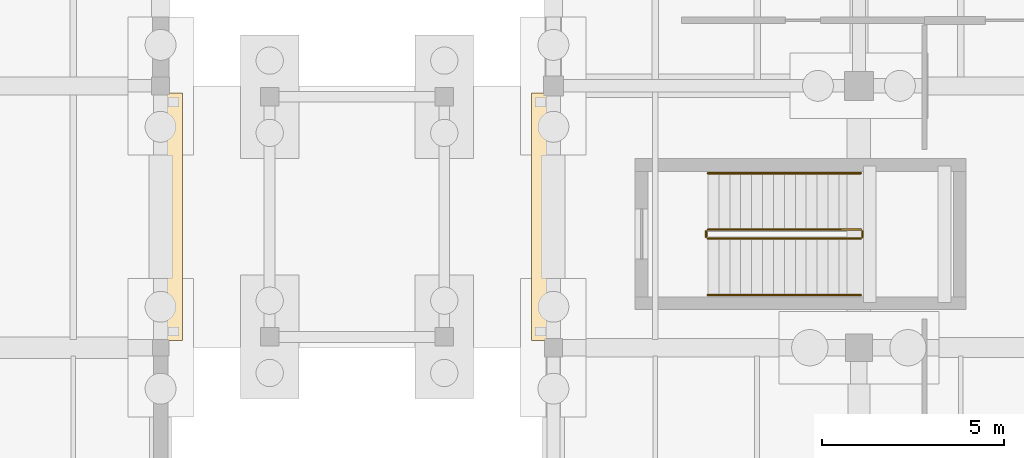
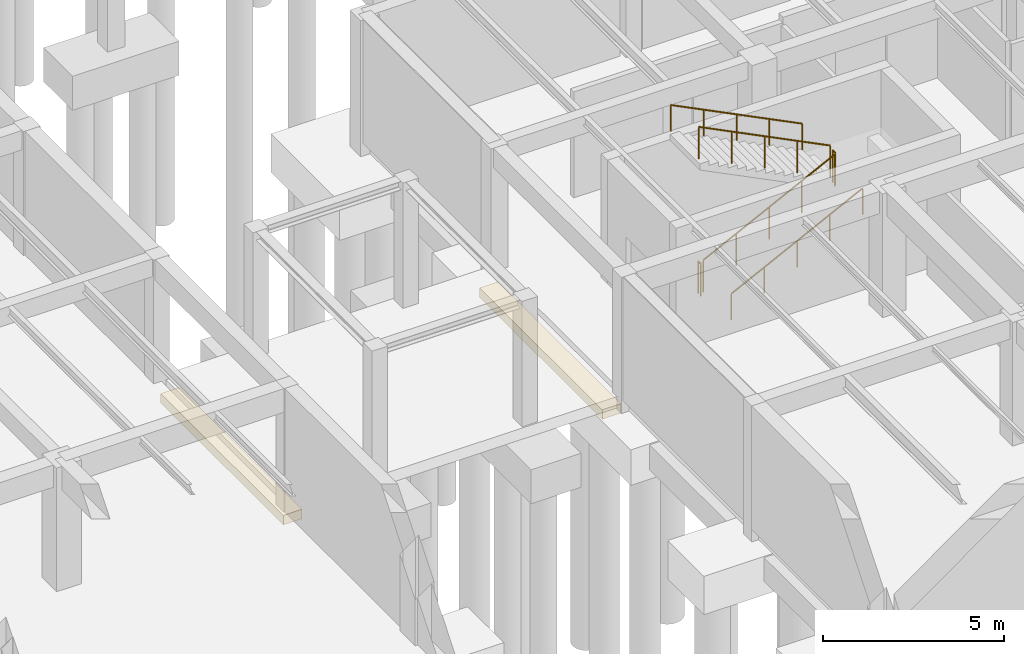
# One storey, part 56 of 63: 6 railings, 2 coverings.
"""IFC4 building model written with IfcOpenShell, lengths in metres."""

from ifc_helpers import new_model, si_unit, direction, frame, origin, origin_2d, place, context, subcontext, project, spatial, polyline, circle, outline, extrude, material, layer, layer_set, type_object, element, save


model = new_model("IFC4")

# Units and contexts
model_context = context("Model", 3, precision=1e-05, world=origin(), true_north=direction((0.0, 1.0)))
body_context = subcontext(model_context, "Body", "Model", "MODEL_VIEW")
ifc_project = project(units=[si_unit("LENGTHUNIT", "METRE"), si_unit("AREAUNIT", "SQUARE_METRE"), si_unit("VOLUMEUNIT", "CUBIC_METRE"), si_unit("PLANEANGLEUNIT", "RADIAN"), si_unit("MASSUNIT", "GRAM", prefix="KILO")], contexts=[model_context])

# Site, building, storey
site_placement = place(None, origin())
site = spatial("IfcSite", under=ifc_project, at=site_placement, CompositionType="ELEMENT")
building_placement = place(site_placement, origin())
building = spatial("IfcBuilding", under=site, at=building_placement, Name="Mazaris Harbour Polytechnic", CompositionType="ELEMENT")
storey_placement = place(building_placement, frame((0.0, 0.0, -4.5)))
storey = spatial("IfcBuildingStorey", under=building, at=storey_placement, Name="B1", CompositionType="ELEMENT", Elevation=-4.5)

# Coverings
ifc_material_1 = material(Name="Concrete C40/50", Category="concrete")
ifc_layer = layer(ifc_material_1, 0.320068359375, Name="Concrete C40/50")
ifc_layer_set = layer_set([ifc_layer], Name="Concrete C40/50")
covering_type = type_object("IfcCoveringType", Name="Bridge Bearing Corbel 600", PredefinedType="CLADDING", material=ifc_layer_set)
covering_1_placement = place(storey_placement, frame((0.0, 0.0, -0.764892578125)))
element("IfcCovering", 1, at=covering_1_placement, inside=storey, type_object=covering_type, Name="PB-W1 B1 600mm Bridge Bearing Seat Corbel W", PredefinedType="CLADDING", context=body_context, shape_type="SweptSolid", body=[
    extrude(outline(polyline([(43.199951171875, 21.800048828125), (43.800048828125, 21.800048828125), (43.800048828125, 28.60009765625), (43.199951171875, 28.60009765625), (43.199951171875, 21.800048828125)])), origin(), (0.0, 0.0, 1.0), 0.31982421875),
])
covering_2_placement = place(storey_placement, frame((0.0, 0.0, -0.764892578125)))
element("IfcCovering", 2, at=covering_2_placement, inside=storey, type_object=covering_type, Name="PB-W1 B1 600mm Bridge Bearing Seat Corbel E", PredefinedType="CLADDING", context=body_context, shape_type="SweptSolid", body=[
    extrude(outline(polyline([(53.39990234375, 21.800048828125), (54.0, 21.800048828125), (54.0, 28.60009765625), (53.39990234375, 28.60009765625), (53.39990234375, 21.800048828125)])), origin(), (0.0, 0.0, 1.0), 0.31982421875),
])

# Railings
ifc_material_2 = material(Name="Stainless Steel S355", Category="steel")
railing_type_1 = type_object("IfcRailingType", Name="Stair Wall Handrail 900", PredefinedType="HANDRAIL", material=ifc_material_2)
railing_1_placement = place(storey_placement, frame((58.25, 23.050048828125, 0.14990234375)))
element("IfcRailing", 3, at=railing_1_placement, inside=storey, type_object=railing_type_1, Name="B1 ST05 stair handrail 1", PredefinedType="HANDRAIL", context=body_context, shape_type="SweptSolid", body=[
    extrude(circle(Radius=0.02392578125, at=origin_2d()), frame((0.0, 0.0, 0.8759765625), z_axis=(0.894416792377, 0.0, 0.447234392142), x_axis=(0.0, 1.0, 0.0)), (0.0, 0.0, 1.0), 4.69580078125),
    extrude(circle(Radius=0.02099609375, at=origin_2d()), origin(), (0.0, 0.0, 1.0), 0.851806640625),
    extrude(circle(Radius=0.02099609375, at=origin_2d()), frame((1.050048828125, 0.0, 0.52490234375)), (0.0, 0.0, 1.0), 0.851806640625),
    extrude(circle(Radius=0.02099609375, at=origin_2d()), frame((2.10009765625, 0.0, 1.050048828125)), (0.0, 0.0, 1.0), 0.851806640625),
    extrude(circle(Radius=0.02099609375, at=origin_2d()), frame((3.14990234375, 0.0, 1.5751953125)), (0.0, 0.0, 1.0), 0.851806640625),
    extrude(circle(Radius=0.02099609375, at=origin_2d()), frame((4.199951171875, 0.0, 2.10009765625)), (0.0, 0.0, 1.0), 0.851806640625),
])
railing_2_placement = place(storey_placement, frame((62.449951171875, 26.39990234375, 2.39990234375)))
element("IfcRailing", 4, at=railing_2_placement, inside=storey, type_object=railing_type_1, Name="B1 ST05 stair handrail 2", PredefinedType="HANDRAIL", context=body_context, shape_type="SweptSolid", body=[
    extrude(circle(Radius=0.02392578125, at=origin_2d()), frame((0.0, 0.0, 0.8759765625), z_axis=(-0.894416792377, 0.0, 0.447234392142), x_axis=(0.0, -1.0, 0.0)), (0.0, 0.0, 1.0), 4.69580078125),
    extrude(circle(Radius=0.02099609375, at=origin_2d()), origin(), (0.0, 0.0, 1.0), 0.851806640625),
    extrude(circle(Radius=0.02099609375, at=origin_2d()), frame((-1.050048828125, 0.0, 0.52490234375)), (0.0, 0.0, 1.0), 0.851806640625),
    extrude(circle(Radius=0.02099609375, at=origin_2d()), frame((-2.10009765625, 0.0, 1.050048828125)), (0.0, 0.0, 1.0), 0.851806640625),
    extrude(circle(Radius=0.02099609375, at=origin_2d()), frame((-3.14990234375, 0.0, 1.5751953125)), (0.0, 0.0, 1.0), 0.851806640625),
    extrude(circle(Radius=0.02099609375, at=origin_2d()), frame((-4.199951171875, 0.0, 2.10009765625)), (0.0, 0.0, 1.0), 0.851806640625),
])
ifc_material_3 = material(Name="Steel S355", Category="steel")
railing_type_2 = type_object("IfcRailingType", Name="Stair Well Guardrail 1100", PredefinedType="GUARDRAIL", material=ifc_material_3)
railing_3_placement = place(storey_placement, frame((58.25, 24.60009765625, 0.14990234375)))
element("IfcRailing", 5, at=railing_3_placement, inside=storey, type_object=railing_type_2, Name="B1 ST05 stair guard 1", PredefinedType="GUARDRAIL", context=body_context, shape_type="SweptSolid", body=[
    extrude(circle(Radius=0.02392578125, at=origin_2d()), frame((0.0, 0.0, 1.076171875), z_axis=(0.894416792377, 0.0, 0.447234392142), x_axis=(0.0, 1.0, 0.0)), (0.0, 0.0, 1.0), 4.69580078125),
    extrude(circle(Radius=0.02099609375, at=origin_2d()), origin(), (0.0, 0.0, 1.0), 1.052001953125),
    extrude(circle(Radius=0.02099609375, at=origin_2d()), frame((1.050048828125, 0.0, 0.52490234375)), (0.0, 0.0, 1.0), 1.052001953125),
    extrude(circle(Radius=0.02099609375, at=origin_2d()), frame((2.10009765625, 0.0, 1.050048828125)), (0.0, 0.0, 1.0), 1.052001953125),
    extrude(circle(Radius=0.02099609375, at=origin_2d()), frame((3.14990234375, 0.0, 1.5751953125)), (0.0, 0.0, 1.0), 1.052001953125),
    extrude(circle(Radius=0.02099609375, at=origin_2d()), frame((4.199951171875, 0.0, 2.10009765625)), (0.0, 0.0, 1.0), 1.052001953125),
])
railing_4_placement = place(storey_placement, frame((62.5, 24.64990234375, 2.25)))
element("IfcRailing", 6, at=railing_4_placement, inside=storey, type_object=railing_type_2, Name="B1 ST05 stair guard 2", PredefinedType="GUARDRAIL", context=body_context, shape_type="SweptSolid", body=[
    extrude(circle(Radius=0.02392578125, at=origin_2d()), frame((0.0, 0.0, 1.076171875), z_axis=(0.0, 1.0, 0.0), x_axis=(-1.0, 0.0, 0.0)), (0.0, 0.0, 1.0), 0.150146484375),
    extrude(circle(Radius=0.02099609375, at=origin_2d()), origin(), (0.0, 0.0, 1.0), 1.052001953125),
    extrude(circle(Radius=0.02099609375, at=origin_2d()), frame((0.0, 0.150146484375, 0.0)), (0.0, 0.0, 1.0), 1.052001953125),
])
railing_5_placement = place(storey_placement, frame((62.449951171875, 24.85009765625, 2.39990234375)))
element("IfcRailing", 7, at=railing_5_placement, inside=storey, type_object=railing_type_2, Name="B1 ST05 stair guard 3", PredefinedType="GUARDRAIL", context=body_context, shape_type="SweptSolid", body=[
    extrude(circle(Radius=0.02392578125, at=origin_2d()), frame((0.0, 0.0, 1.076171875), z_axis=(-0.894416792377, 0.0, 0.447234392142), x_axis=(0.0, -1.0, 0.0)), (0.0, 0.0, 1.0), 4.69580078125),
    extrude(circle(Radius=0.02099609375, at=origin_2d()), origin(), (0.0, 0.0, 1.0), 1.052001953125),
    extrude(circle(Radius=0.02099609375, at=origin_2d()), frame((-1.050048828125, 0.0, 0.52490234375)), (0.0, 0.0, 1.0), 1.052001953125),
    extrude(circle(Radius=0.02099609375, at=origin_2d()), frame((-2.10009765625, 0.0, 1.050048828125)), (0.0, 0.0, 1.0), 1.052001953125),
    extrude(circle(Radius=0.02099609375, at=origin_2d()), frame((-3.14990234375, 0.0, 1.5751953125)), (0.0, 0.0, 1.0), 1.052001953125),
    extrude(circle(Radius=0.02099609375, at=origin_2d()), frame((-4.199951171875, 0.0, 2.10009765625)), (0.0, 0.0, 1.0), 1.052001953125),
])
railing_6_placement = place(storey_placement, frame((58.199951171875, 24.64990234375, 0.0)))
element("IfcRailing", 8, at=railing_6_placement, inside=storey, type_object=railing_type_2, Name="B1 ST05 stair guard 4", PredefinedType="GUARDRAIL", context=body_context, shape_type="SweptSolid", body=[
    extrude(circle(Radius=0.02392578125, at=origin_2d()), frame((0.0, 0.0, 1.076171875), z_axis=(0.0, 1.0, 0.0), x_axis=(-1.0, 0.0, 0.0)), (0.0, 0.0, 1.0), 0.150146484375),
    extrude(circle(Radius=0.02099609375, at=origin_2d()), origin(), (0.0, 0.0, 1.0), 1.052001953125),
    extrude(circle(Radius=0.02099609375, at=origin_2d()), frame((0.0, 0.150146484375, 0.0)), (0.0, 0.0, 1.0), 1.052001953125),
])

save(model, "model.ifc")
